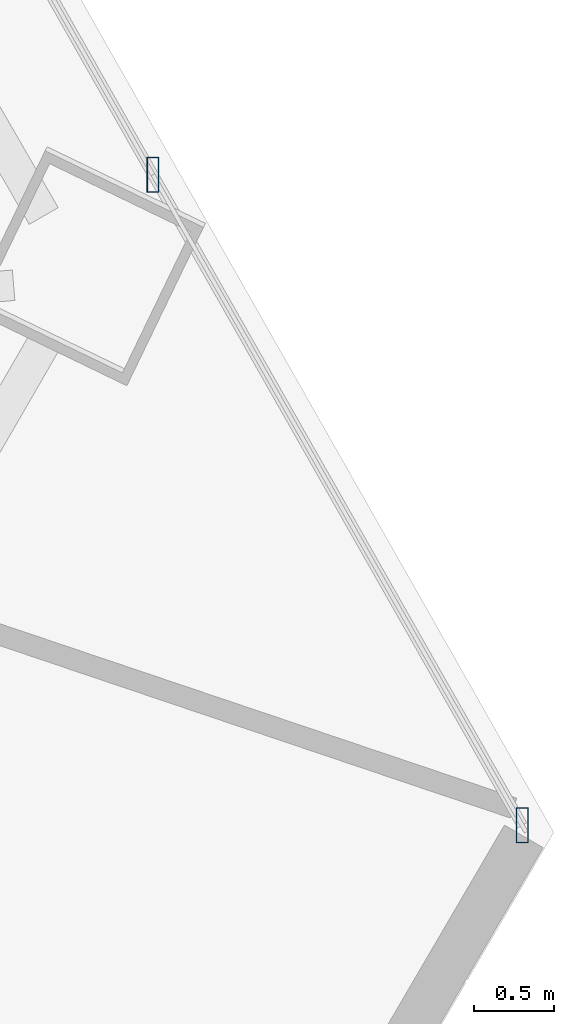
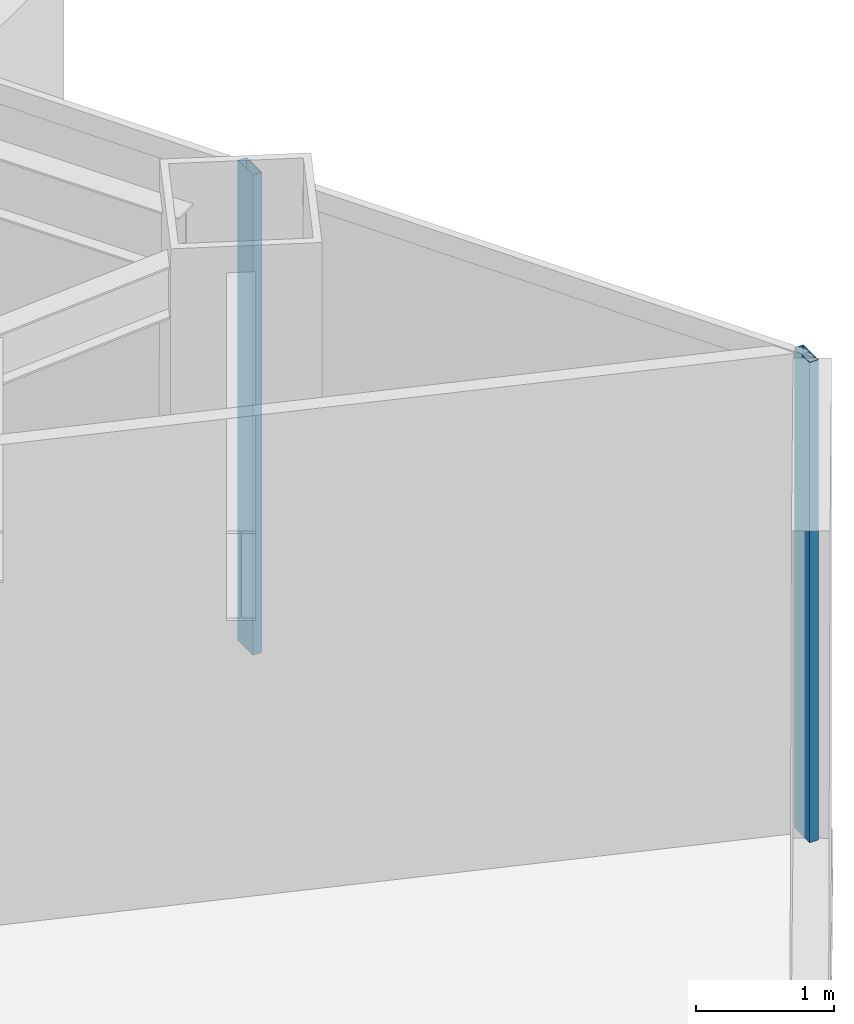
# One storey, part 18 of 37: 2 members, 1 element without a shape of its own.
"""IFC4 building model written with IfcOpenShell, lengths in metres."""

from ifc_helpers import new_model, si_unit, direction, frame, origin, origin_2d, place, context, subcontext, project, spatial, hollow_rectangle, extrude, source, transform, mapped, material, material_profile, profile_set, type_object, type_shapes, element, aggregate, save


model = new_model("IFC4")

# Units and contexts
model_context = context("Model", 3, precision=1e-05, world=origin(), true_north=direction((0.0, 1.0)))
body_context = subcontext(model_context, "Body", "Model", "MODEL_VIEW")
ifc_project = project(units=[si_unit("LENGTHUNIT", "METRE"), si_unit("AREAUNIT", "SQUARE_METRE"), si_unit("VOLUMEUNIT", "CUBIC_METRE"), si_unit("PLANEANGLEUNIT", "RADIAN"), si_unit("MASSUNIT", "GRAM", prefix="KILO")], contexts=[model_context])

# Site, building, storey
site_placement = place(None, origin())
site = spatial("IfcSite", under=ifc_project, at=site_placement, CompositionType="ELEMENT")
building_placement = place(site_placement, origin())
building = spatial("IfcBuilding", under=site, at=building_placement, Name="Caelisora Broadcast Tower", CompositionType="ELEMENT")
storey_placement = place(building_placement, frame((0.0, 0.0, 127.300048828125)))
storey = spatial("IfcBuildingStorey", under=building, at=storey_placement, Name="L33", CompositionType="ELEMENT", Elevation=127.300048828125)

# Curtain wall, members
ifc_material_1 = material(Name="Unitised Aluminium and Low-E Glass Curtain Wall", Category="glass")
curtain_wall_type = type_object("IfcCurtainWallType", Name="CW-SKY", PredefinedType="NOTDEFINED", material=ifc_material_1)
curtain_wall_placement = place(storey_placement, origin())
curtain_wall = element("IfcCurtainWall", 1, at=curtain_wall_placement, inside=storey, type_object=curtain_wall_type, Name="L33 curtain wall CW-SKY", PredefinedType="NOTDEFINED")
ifc_material_2 = material(Name="Aluminium 6063-T6 Anodised Terracotta Bronze", Category="aluminium")
ifc_material_profile = material_profile(ifc_material_2, hollow_rectangle(XDim=0.074951171875, YDim=0.219970703125, WallThickness=0.00390625, at=origin_2d()), Name="Aluminium 6063-T6 Anodised Terracotta Bronze")
ifc_profile_set = profile_set([ifc_material_profile], Name="Aluminium 6063-T6 Anodised Terracotta Bronze")
member_type = type_object("IfcMemberType", Name="CWM-01", PredefinedType="MULLION", material=ifc_profile_set)
shared_shape = source(origin(), body_context, "Body", "SweptSolid", [
    extrude(hollow_rectangle(XDim=0.074951171875, YDim=0.219970703125, WallThickness=0.00390625, at=origin_2d()), origin(), (0.0, 0.0, 1.0), 4.25),
])
type_shapes(member_type, [shared_shape])
member_1_placement = place(storey_placement, frame((61.31103515625, 19.3369140625, 0.0), z_axis=(0.0, 0.0, 1.0), x_axis=(1.0, 0.0, 0.0)))
member_1 = element("IfcMember", 2, at=member_1_placement, type_object=member_type, Name="L33-CW-B03 mullion #2", PredefinedType="MULLION", context=body_context, shape_type="MappedRepresentation", body=[
    mapped(shared_shape, transform((0.0, 0.0, 0.0), scale=1.0)),
])
member_2_placement = place(storey_placement, frame((63.621337890625, 15.267578125, 0.0), z_axis=(0.0, 0.0, 1.0), x_axis=(1.0, 0.0, 0.0)))
member_2 = element("IfcMember", 3, at=member_2_placement, type_object=member_type, Name="L33-CW-B03 mullion #3", PredefinedType="MULLION", context=body_context, shape_type="MappedRepresentation", body=[
    mapped(shared_shape, transform((0.0, 0.0, 0.0), scale=1.0)),
])
aggregate(curtain_wall, [member_1, member_2])

save(model, "model.ifc")
